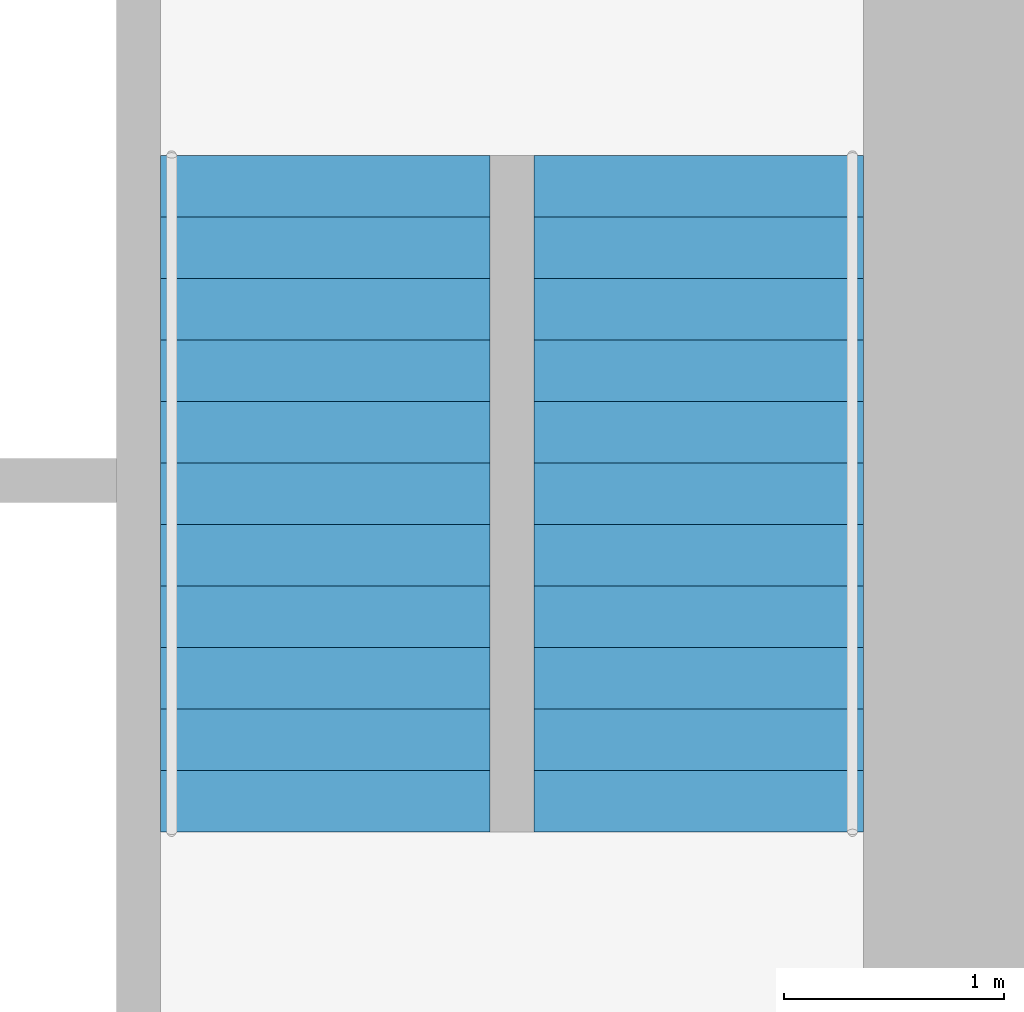
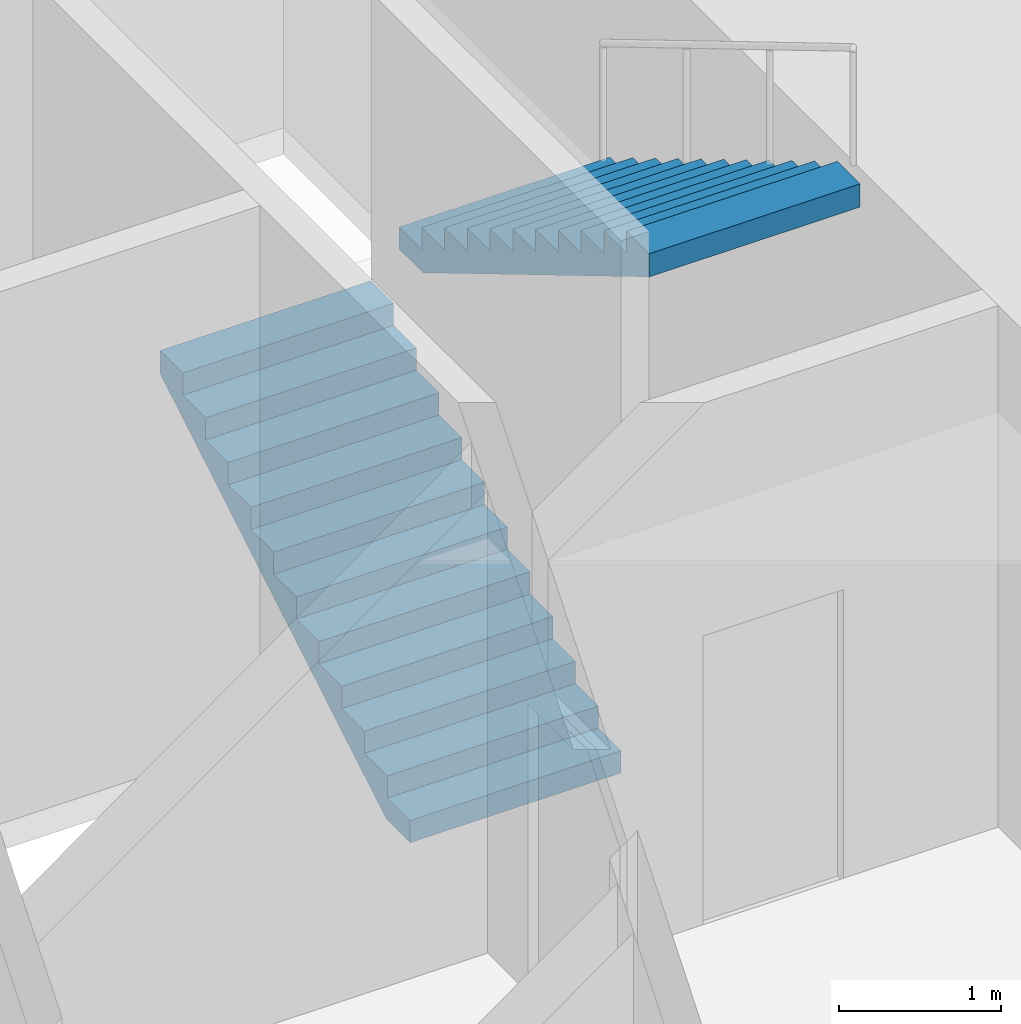
# One storey, part 14 of 17: 2 stair flights, 1 element without a shape of its own.
"""IFC4 building model written with IfcOpenShell, lengths in metres."""

from ifc_helpers import new_model, si_unit, direction, frame, origin, place, context, subcontext, project, spatial, polyline, outline, extrude, material, type_object, element, aggregate, save


model = new_model("IFC4")

# Units and contexts
model_context = context("Model", 3, precision=1e-05, world=origin(), true_north=direction((0.0, 1.0)))
body_context = subcontext(model_context, "Body", "Model", "MODEL_VIEW")
ifc_project = project(units=[si_unit("LENGTHUNIT", "METRE"), si_unit("AREAUNIT", "SQUARE_METRE"), si_unit("VOLUMEUNIT", "CUBIC_METRE"), si_unit("PLANEANGLEUNIT", "RADIAN"), si_unit("MASSUNIT", "GRAM", prefix="KILO")], contexts=[model_context])

# Site, building, storey
site_placement = place(None, origin())
site = spatial("IfcSite", under=ifc_project, at=site_placement, CompositionType="ELEMENT")
building_placement = place(site_placement, origin())
building = spatial("IfcBuilding", under=site, at=building_placement, Name="Svetlomir Tower", CompositionType="ELEMENT")
storey_placement = place(building_placement, frame((0.0, 0.0, 30.5)))
storey = spatial("IfcBuildingStorey", under=building, at=storey_placement, Name="L06", CompositionType="ELEMENT", Elevation=30.5)

# Stair, stair flights
ifc_material_1 = material(Name="Concrete C60/75", Category="concrete")
stair_type = type_object("IfcStairType", Name="EXIT STAIR 3200 RISE 4000", PredefinedType="HALF_TURN_STAIR", material=ifc_material_1)
stair_placement = place(storey_placement, origin())
stair = element("IfcStair", 1, at=stair_placement, inside=storey, type_object=stair_type, Name="Stair S2 L06 to L07", PredefinedType="HALF_TURN_STAIR")
ifc_material_2 = material(Name="Concrete C60/75", Category="concrete")
stair_flight_type = type_object("IfcStairFlightType", Name="STAIR FLIGHT 1500 OF 12 RISERS", PredefinedType="STRAIGHT", material=ifc_material_2)
stair_flight_1_placement = place(storey_placement, frame((26.949951171875, 22.300048828125, 0.0), z_axis=(0.0, 0.0, 1.0), x_axis=(0.0, 1.0, 0.0)))
stair_flight_1 = element("IfcStairFlight", 2, at=stair_flight_1_placement, type_object=stair_flight_type, Name="S2 flight 1", NumberOfRisers=12, NumberOfTreads=11, PredefinedType="STRAIGHT", RiserHeight=0.166666667, TreadLength=0.28, context=body_context, shape_type="SweptSolid", body=[
    extrude(outline(polyline([(0.0, 0.0), (0.0, 0.166748046875), (0.280029296875, 0.166748046875), (0.280029296875, 0.333251953125), (0.56005859375, 0.333251953125), (0.56005859375, 0.5), (0.840087890625, 0.5), (0.840087890625, 0.666748046875), (1.1201171875, 0.666748046875), (1.1201171875, 0.833251953125), (1.39990234375, 0.833251953125), (1.39990234375, 1.0), (1.679931640625, 1.0), (1.679931640625, 1.166748046875), (1.9599609375, 1.166748046875), (1.9599609375, 1.333251953125), (2.239990234375, 1.333251953125), (2.239990234375, 1.5), (2.52001953125, 1.5), (2.52001953125, 1.666748046875), (2.800048828125, 1.666748046875), (2.800048828125, 1.833251953125), (3.080078125, 1.833251953125), (3.080078125, 2.0), (3.080078125, 1.658935546875), (0.29296875, 0.0), (0.0, 0.0)])), frame((0.0, 0.75, 0.0), z_axis=(0.0, -1.0, 0.0), x_axis=(1.0, 0.0, 0.0)), (0.0, 0.0, 1.0), 1.5),
])
stair_flight_2_placement = place(storey_placement, frame((28.64990234375, 25.3798828125, 2.0), z_axis=(0.0, 0.0, 1.0), x_axis=(0.0, -1.0, 0.0)))
stair_flight_2 = element("IfcStairFlight", 3, at=stair_flight_2_placement, type_object=stair_flight_type, Name="S2 flight 2", NumberOfRisers=12, NumberOfTreads=11, PredefinedType="STRAIGHT", RiserHeight=0.166666667, TreadLength=0.28, context=body_context, shape_type="SweptSolid", body=[
    extrude(outline(polyline([(0.0, 0.0), (0.0, 0.166748046875), (0.280029296875, 0.166748046875), (0.280029296875, 0.333251953125), (0.56005859375, 0.333251953125), (0.56005859375, 0.5), (0.840087890625, 0.5), (0.840087890625, 0.666748046875), (1.1201171875, 0.666748046875), (1.1201171875, 0.833251953125), (1.39990234375, 0.833251953125), (1.39990234375, 1.0), (1.679931640625, 1.0), (1.679931640625, 1.166748046875), (1.9599609375, 1.166748046875), (1.9599609375, 1.333251953125), (2.239990234375, 1.333251953125), (2.239990234375, 1.5), (2.52001953125, 1.5), (2.52001953125, 1.666748046875), (2.800048828125, 1.666748046875), (2.800048828125, 1.833251953125), (3.080078125, 1.833251953125), (3.080078125, 2.0), (3.080078125, 1.658935546875), (0.29296875, 0.0), (0.0, 0.0)])), frame((0.0, 0.75, 0.0), z_axis=(0.0, -1.0, 0.0), x_axis=(1.0, 0.0, 0.0)), (0.0, 0.0, 1.0), 1.5),
])
aggregate(stair, [stair_flight_1, stair_flight_2])

save(model, "model.ifc")
